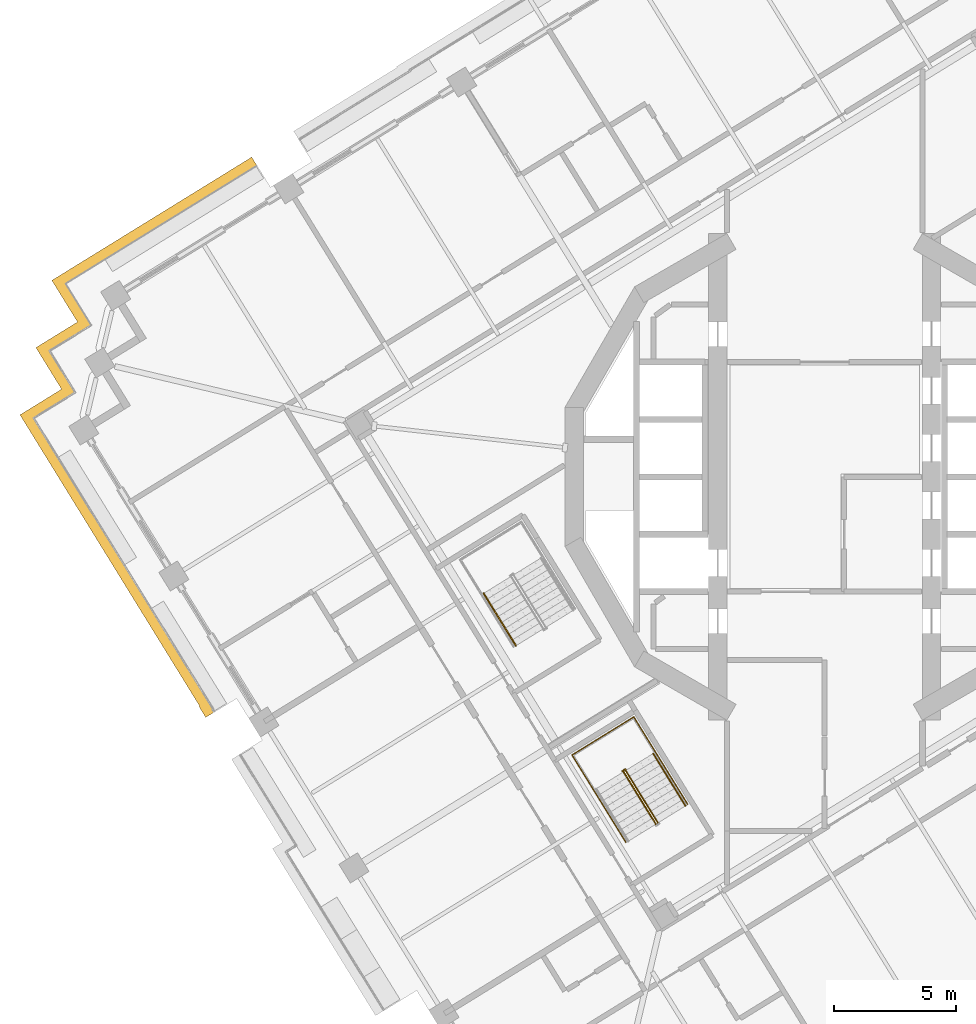
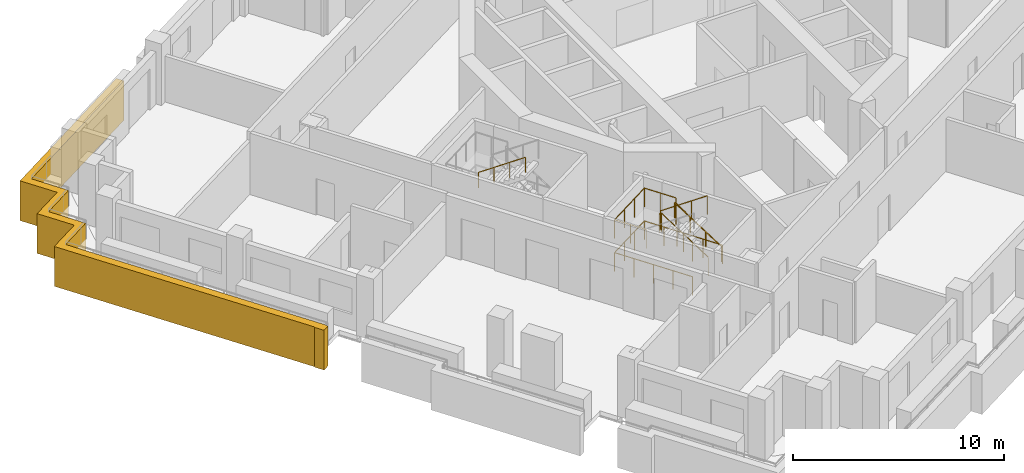
# One storey, part 14 of 20: 6 railings, 1 covering.
"""IFC4 building model written with IfcOpenShell, lengths in metres."""

from ifc_helpers import new_model, si_unit, direction, frame, origin, origin_2d, place, context, subcontext, project, spatial, polyline, circle, outline, extrude, material, type_object, element, save


model = new_model("IFC4")

# Units and contexts
model_context = context("Model", 3, precision=1e-05, world=origin(), true_north=direction((0.0, 1.0)))
body_context = subcontext(model_context, "Body", "Model", "MODEL_VIEW")
ifc_project = project(units=[si_unit("LENGTHUNIT", "METRE"), si_unit("AREAUNIT", "SQUARE_METRE"), si_unit("VOLUMEUNIT", "CUBIC_METRE"), si_unit("PLANEANGLEUNIT", "RADIAN"), si_unit("MASSUNIT", "GRAM", prefix="KILO")], contexts=[model_context])

# Site, building, storey
site_placement = place(None, origin())
site = spatial("IfcSite", under=ifc_project, at=site_placement, CompositionType="ELEMENT")
building_placement = place(site_placement, origin())
building = spatial("IfcBuilding", under=site, at=building_placement, Name="Cantera Rosa Tower", CompositionType="ELEMENT")
storey_placement = place(building_placement, frame((0.0, 0.0, 159.0)))
storey = spatial("IfcBuildingStorey", under=building, at=storey_placement, Name="L34", CompositionType="ELEMENT", Elevation=159.0)

# Railings
ifc_material_1 = material(Name="Steel S355J2 (EN 10025-2)", Category="steel")
railing_type_1 = type_object("IfcRailingType", Name="STAIR GUARD 1100", PredefinedType="GUARDRAIL", material=ifc_material_1)
railing_1_placement = place(storey_placement, frame((-6.8232421875, -14.165771484375, 0.18994140625)))
element("IfcRailing", 1, at=railing_1_placement, inside=storey, type_object=railing_type_1, Name="L34 ST-33 stair guard 1", PredefinedType="GUARDRAIL", context=body_context, shape_type="SweptSolid", body=[
    extrude(circle(Radius=0.02392578125, at=origin_2d()), frame((0.0, 0.0, 1.076171875), z_axis=(-0.434427613125, 0.704271375033, 0.561493080334), x_axis=(-0.851102330005, -0.524999832248, 0.0)), (0.0, 0.0, 1.0), 3.04541015625),
    extrude(circle(Radius=0.02392578125, at=origin_2d()), frame((-1.322998046875, 2.144775390625, 2.7861328125), z_axis=(-0.073711968402, 0.997279572494, 0.0), x_axis=(-0.997279572494, -0.073711968402, 0.0)), (0.0, 0.0, 1.0), 0.056396484375),
    extrude(circle(Radius=0.02392578125, at=origin_2d()), frame((-1.3271484375, 2.200927734375, 2.7861328125), z_axis=(-0.851546489876, -0.524279100842, 0.0), x_axis=(0.524279100842, -0.851546489876, 0.0)), (0.0, 0.0, 1.0), 0.14990234375),
    extrude(circle(Radius=0.02099609375, at=origin_2d()), origin(), (0.0, 0.0, 1.0), 1.052001953125),
    extrude(circle(Radius=0.02099609375, at=origin_2d()), frame((-0.44091796875, 0.71484375, 0.570068359375)), (0.0, 0.0, 1.0), 1.052001953125),
    extrude(circle(Radius=0.02099609375, at=origin_2d()), frame((-0.882080078125, 1.429931640625, 1.139892578125)), (0.0, 0.0, 1.0), 1.052001953125),
    extrude(circle(Radius=0.02099609375, at=origin_2d()), frame((-1.322998046875, 2.144775390625, 1.7099609375)), (0.0, 0.0, 1.0), 1.052001953125),
    extrude(circle(Radius=0.02099609375, at=origin_2d()), frame((-1.3271484375, 2.200927734375, 1.7099609375)), (0.0, 0.0, 1.0), 1.052001953125),
    extrude(circle(Radius=0.02099609375, at=origin_2d()), frame((-1.454833984375, 2.122314453125, 1.7099609375)), (0.0, 0.0, 1.0), 1.052001953125),
])
railing_2_placement = place(storey_placement, frame((-8.229736328125, -12.072509765625, 2.090087890625)))
element("IfcRailing", 2, at=railing_2_placement, inside=storey, type_object=railing_type_1, Name="L34 ST-33 stair guard 2", PredefinedType="GUARDRAIL", context=body_context, shape_type="SweptSolid", body=[
    extrude(circle(Radius=0.02392578125, at=origin_2d()), frame((0.0, 0.0, 1.076171875), z_axis=(0.434427613125, -0.704271375033, 0.561493080334), x_axis=(0.851102330005, 0.524999832248, 0.0)), (0.0, 0.0, 1.0), 3.04541015625),
    extrude(circle(Radius=0.02099609375, at=origin_2d()), origin(), (0.0, 0.0, 1.0), 1.052001953125),
    extrude(circle(Radius=0.02099609375, at=origin_2d()), frame((0.44091796875, -0.71484375, 0.570068359375)), (0.0, 0.0, 1.0), 1.052001953125),
    extrude(circle(Radius=0.02099609375, at=origin_2d()), frame((0.882080078125, -1.429931640625, 1.139892578125)), (0.0, 0.0, 1.0), 1.052001953125),
    extrude(circle(Radius=0.02099609375, at=origin_2d()), frame((1.322998046875, -2.144775390625, 1.7099609375)), (0.0, 0.0, 1.0), 1.052001953125),
])
railing_3_placement = place(storey_placement, frame((-5.607421875, -13.40185546875, 0.0)))
element("IfcRailing", 3, at=railing_3_placement, inside=storey, type_object=railing_type_1, Name="L34 ST-33 stair guard 4", PredefinedType="GUARDRAIL", context=body_context, shape_type="SweptSolid", body=[
    extrude(circle(Radius=0.02392578125, at=origin_2d()), frame((0.0, 0.0, 1.076171875), z_axis=(-0.524976478809, 0.851116735059, 0.0), x_axis=(-0.851116735059, -0.524976478809, 0.0)), (0.0, 0.0, 1.0), 4.197998046875),
    extrude(circle(Radius=0.02392578125, at=origin_2d()), frame((-2.203857421875, 3.572998046875, 1.076171875), z_axis=(-0.851132917336, -0.524950242429, 0.0), x_axis=(0.524950242429, -0.851132917336, 0.0)), (0.0, 0.0, 1.0), 2.969970703125),
    extrude(circle(Radius=0.02392578125, at=origin_2d()), frame((-4.731689453125, 2.013916015625, 1.076171875), z_axis=(0.524976478809, -0.851116735059, 0.0), x_axis=(0.851116735059, 0.524976478809, 0.0)), (0.0, 0.0, 1.0), 4.197998046875),
    extrude(circle(Radius=0.02099609375, at=origin_2d()), origin(), (0.0, 0.0, 1.0), 1.052001953125),
    extrude(circle(Radius=0.02099609375, at=origin_2d()), frame((-0.551025390625, 0.893310546875, 0.0)), (0.0, 0.0, 1.0), 1.052001953125),
    extrude(circle(Radius=0.02099609375, at=origin_2d()), frame((-1.10205078125, 1.78662109375, 0.0)), (0.0, 0.0, 1.0), 1.052001953125),
    extrude(circle(Radius=0.02099609375, at=origin_2d()), frame((-1.65283203125, 2.6796875, 0.0)), (0.0, 0.0, 1.0), 1.052001953125),
    extrude(circle(Radius=0.02099609375, at=origin_2d()), frame((-2.203857421875, 3.572998046875, 0.0)), (0.0, 0.0, 1.0), 1.052001953125),
    extrude(circle(Radius=0.02099609375, at=origin_2d()), frame((-3.04638671875, 3.05322265625, 0.0)), (0.0, 0.0, 1.0), 1.052001953125),
    extrude(circle(Radius=0.02099609375, at=origin_2d()), frame((-3.88916015625, 2.53369140625, 0.0)), (0.0, 0.0, 1.0), 1.052001953125),
    extrude(circle(Radius=0.02099609375, at=origin_2d()), frame((-4.731689453125, 2.013916015625, 0.0)), (0.0, 0.0, 1.0), 1.052001953125),
    extrude(circle(Radius=0.02099609375, at=origin_2d()), frame((-4.1806640625, 1.12060546875, 0.0)), (0.0, 0.0, 1.0), 1.052001953125),
    extrude(circle(Radius=0.02099609375, at=origin_2d()), frame((-3.6298828125, 0.2275390625, 0.0)), (0.0, 0.0, 1.0), 1.052001953125),
    extrude(circle(Radius=0.02099609375, at=origin_2d()), frame((-3.078857421875, -0.665771484375, 0.0)), (0.0, 0.0, 1.0), 1.052001953125),
    extrude(circle(Radius=0.02099609375, at=origin_2d()), frame((-2.52783203125, -1.55908203125, 0.0)), (0.0, 0.0, 1.0), 1.052001953125),
])
railing_4_placement = place(storey_placement, frame((-6.917724609375, -11.27734375, 1.89990234375)))
element("IfcRailing", 4, at=railing_4_placement, inside=storey, type_object=railing_type_1, Name="L34 ST-33 stair guard 5", PredefinedType="GUARDRAIL", context=body_context, shape_type="SweptSolid", body=[
    extrude(circle(Radius=0.02392578125, at=origin_2d()), frame((0.0, 0.0, 1.076171875), z_axis=(-0.525025534833, 0.851086474909, 0.0), x_axis=(-0.851086474909, -0.525025534833, 0.0)), (0.0, 0.0, 1.0), 1.701904296875),
    extrude(circle(Radius=0.02392578125, at=origin_2d()), frame((-0.8935546875, 1.448486328125, 1.076171875), z_axis=(-0.851132917336, -0.524950242429, 0.0), x_axis=(0.524950242429, -0.851132917336, 0.0)), (0.0, 0.0, 1.0), 2.969970703125),
    extrude(circle(Radius=0.02392578125, at=origin_2d()), frame((-3.42138671875, -0.110595703125, 1.076171875), z_axis=(0.524961441845, -0.851126009811, 0.0), x_axis=(0.851126009811, 0.524961441845, 0.0)), (0.0, 0.0, 1.0), 1.7021484375),
    extrude(circle(Radius=0.02099609375, at=origin_2d()), origin(), (0.0, 0.0, 1.0), 1.052001953125),
    extrude(circle(Radius=0.02099609375, at=origin_2d()), frame((-0.44677734375, 0.72412109375, 0.0)), (0.0, 0.0, 1.0), 1.052001953125),
    extrude(circle(Radius=0.02099609375, at=origin_2d()), frame((-0.8935546875, 1.448486328125, 0.0)), (0.0, 0.0, 1.0), 1.052001953125),
    extrude(circle(Radius=0.02099609375, at=origin_2d()), frame((-1.736083984375, 0.9287109375, 0.0)), (0.0, 0.0, 1.0), 1.052001953125),
    extrude(circle(Radius=0.02099609375, at=origin_2d()), frame((-2.578857421875, 0.4091796875, 0.0)), (0.0, 0.0, 1.0), 1.052001953125),
    extrude(circle(Radius=0.02099609375, at=origin_2d()), frame((-3.42138671875, -0.110595703125, 0.0)), (0.0, 0.0, 1.0), 1.052001953125),
    extrude(circle(Radius=0.02099609375, at=origin_2d()), frame((-2.974609375, -0.8349609375, 0.0)), (0.0, 0.0, 1.0), 1.052001953125),
    extrude(circle(Radius=0.02099609375, at=origin_2d()), frame((-2.52783203125, -1.559326171875, 0.0)), (0.0, 0.0, 1.0), 1.052001953125),
])
ifc_material_2 = material(Name="Steel S355J2 (EN 10025-2)", Category="steel")
railing_type_2 = type_object("IfcRailingType", Name="STAIR HANDRAIL 900", PredefinedType="HANDRAIL", material=ifc_material_2)
railing_5_placement = place(storey_placement, frame((-13.958251953125, -4.7685546875, 2.090087890625)))
element("IfcRailing", 5, at=railing_5_placement, inside=storey, type_object=railing_type_2, Name="L34 ST-32 stair handrail 2", PredefinedType="HANDRAIL", context=body_context, shape_type="SweptSolid", body=[
    extrude(circle(Radius=0.02392578125, at=origin_2d()), frame((0.0, 0.0, 0.8759765625), z_axis=(0.434427613125, -0.704271375033, 0.561493080334), x_axis=(0.851102330005, 0.524999832248, 0.0)), (0.0, 0.0, 1.0), 3.04541015625),
    extrude(circle(Radius=0.02099609375, at=origin_2d()), origin(), (0.0, 0.0, 1.0), 0.851806640625),
    extrude(circle(Radius=0.02099609375, at=origin_2d()), frame((0.44091796875, -0.71484375, 0.570068359375)), (0.0, 0.0, 1.0), 0.851806640625),
    extrude(circle(Radius=0.02099609375, at=origin_2d()), frame((0.882080078125, -1.429931640625, 1.139892578125)), (0.0, 0.0, 1.0), 0.851806640625),
    extrude(circle(Radius=0.02099609375, at=origin_2d()), frame((1.322998046875, -2.144775390625, 1.7099609375)), (0.0, 0.0, 1.0), 0.851806640625),
])
railing_6_placement = place(storey_placement, frame((-5.69482421875, -13.4697265625, 0.18994140625)))
element("IfcRailing", 6, at=railing_6_placement, inside=storey, type_object=railing_type_2, Name="L34 ST-33 stair handrail 1", PredefinedType="HANDRAIL", context=body_context, shape_type="SweptSolid", body=[
    extrude(circle(Radius=0.02392578125, at=origin_2d()), frame((0.0, 0.0, 0.8759765625), z_axis=(-0.434362572038, 0.70429590169, 0.561512634654), x_axis=(-0.851145618652, -0.524929648476, 0.0)), (0.0, 0.0, 1.0), 3.045166015625),
    extrude(circle(Radius=0.02099609375, at=origin_2d()), origin(), (0.0, 0.0, 1.0), 0.851806640625),
    extrude(circle(Radius=0.02099609375, at=origin_2d()), frame((-0.44091796875, 0.71484375, 0.570068359375)), (0.0, 0.0, 1.0), 0.851806640625),
    extrude(circle(Radius=0.02099609375, at=origin_2d()), frame((-0.8818359375, 1.429931640625, 1.139892578125)), (0.0, 0.0, 1.0), 0.851806640625),
    extrude(circle(Radius=0.02099609375, at=origin_2d()), frame((-1.32275390625, 2.144775390625, 1.7099609375)), (0.0, 0.0, 1.0), 0.851806640625),
])

# Covering
ifc_material_3 = material(Name="Cantera stone", Category="masonry")
covering_type = type_object("IfcCoveringType", Name="TRAY FASCIA 400", PredefinedType="CLADDING", material=ifc_material_3)
covering_placement = place(storey_placement, frame((0.0, 0.0, -1.39990234375)))
element("IfcCovering", 7, at=covering_placement, inside=storey, type_object=covering_type, Name="TRAY FASCIA L34-01", PredefinedType="CLADDING", context=body_context, shape_type="SweptSolid", body=[
    extrude(outline(polyline([(-29.040283203125, -3.77783203125), (-31.938232421875, 0.920166015625), (-32.935546875, 2.537353515625), (-31.2333984375, 3.58740234375), (-31.285888671875, 3.67236328125), (-32.283447265625, 5.28955078125), (-30.666259765625, 6.286865234375), (-30.5810546875, 6.339599609375), (-30.633544921875, 6.424560546875), (-31.631103515625, 8.041748046875), (-30.013916015625, 9.0390625), (-24.209228515625, 12.61962890625), (-23.451904296875, 13.086669921875), (-23.241943359375, 12.746337890625), (-23.999267578125, 12.279052734375), (-29.803955078125, 8.69873046875), (-31.08056640625, 7.911376953125), (-30.293212890625, 6.634521484375), (-30.03076171875, 6.208984375), (-30.456298828125, 5.946533203125), (-31.73291015625, 5.1591796875), (-30.9453125, 3.88232421875), (-30.682861328125, 3.456787109375), (-31.1083984375, 3.1943359375), (-32.38525390625, 2.406982421875), (-31.59765625, 1.130126953125), (-28.699951171875, -3.56787109375), (-27.125, -6.121337890625), (-25.03076171875, -9.516357421875), (-25.05712890625, -9.53271484375), (-24.99365234375, -9.6357421875), (-25.333984375, -9.845703125), (-25.607421875, -9.40234375), (-25.581298828125, -9.385986328125), (-27.46533203125, -6.331298828125), (-29.040283203125, -3.77783203125)])), origin(), (0.0, 0.0, 1.0), 2.2998046875),
])

save(model, "model.ifc")
